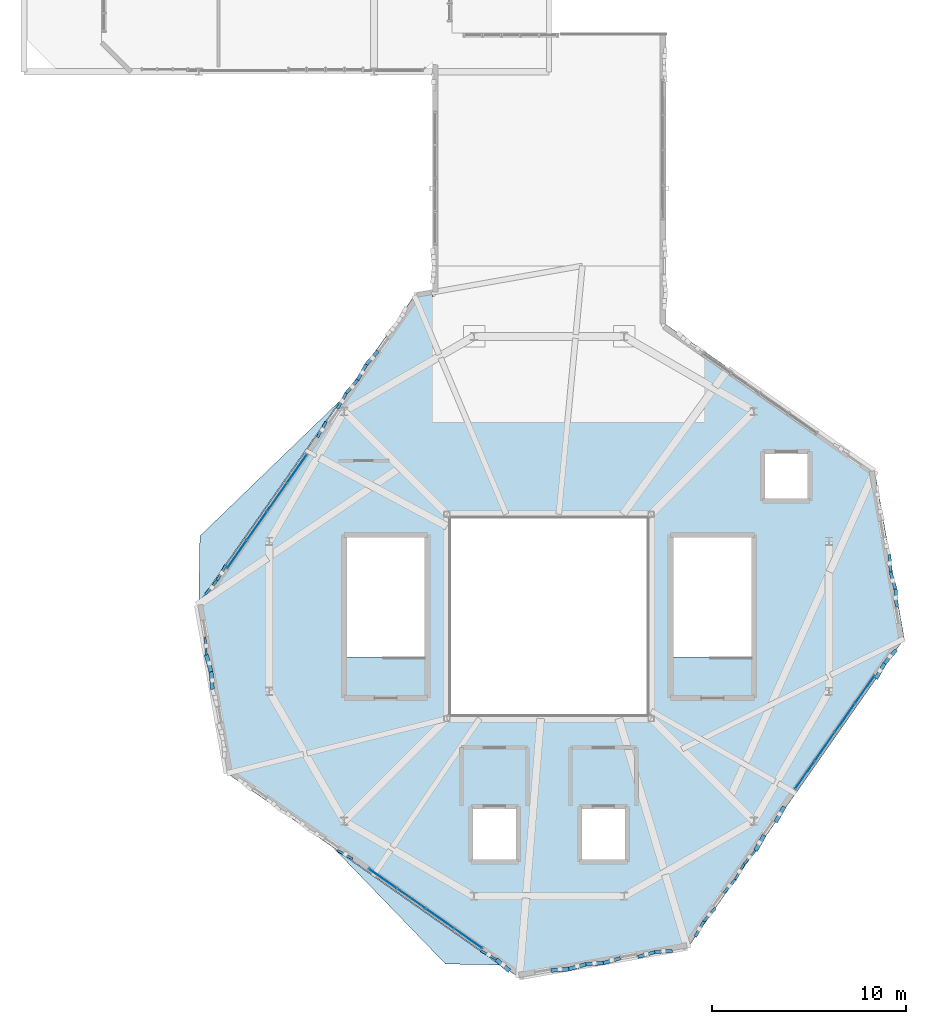
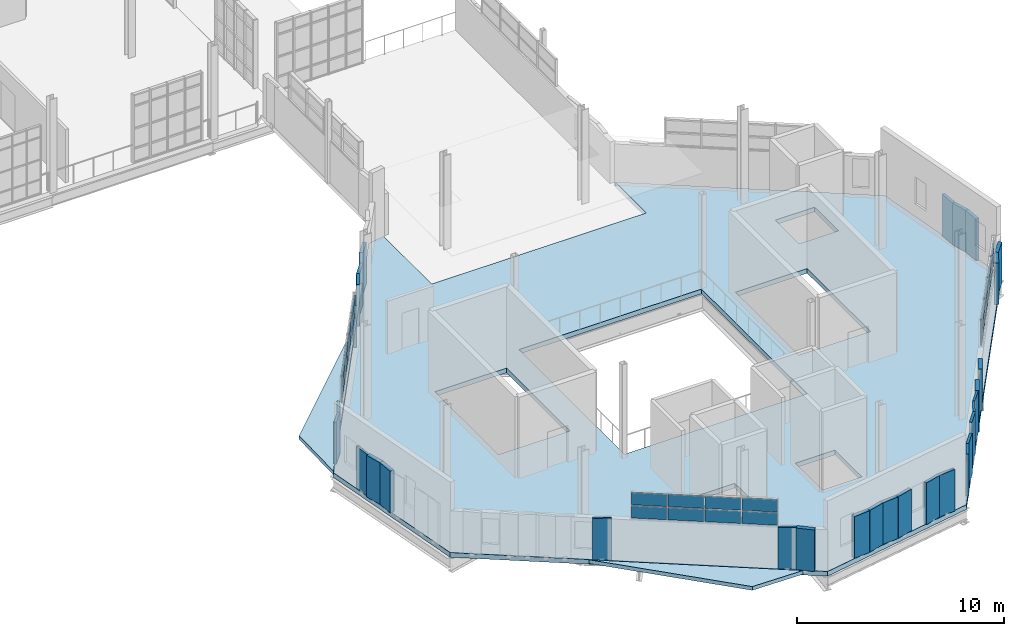
# One storey, part 27 of 36: 55 plates, 3 slabs, 3 elements without a shape of their own.
"""IFC4 building model written with IfcOpenShell, lengths in metres."""

from ifc_helpers import new_model, si_unit, direction, frame, frame_2d, origin, origin_2d, place, context, subcontext, project, spatial, polyline, rectangle, outline, extrude, material, layer, layer_set, type_object, element, aggregate, save


model = new_model("IFC4")

# Units and contexts
model_context = context("Model", 3, precision=1e-05, world=origin(), true_north=direction((0.0, 1.0)))
body_context = subcontext(model_context, "Body", "Model", "MODEL_VIEW")
ifc_project = project(units=[si_unit("LENGTHUNIT", "METRE"), si_unit("AREAUNIT", "SQUARE_METRE"), si_unit("VOLUMEUNIT", "CUBIC_METRE"), si_unit("PLANEANGLEUNIT", "RADIAN"), si_unit("MASSUNIT", "GRAM", prefix="KILO"), si_unit("THERMODYNAMICTEMPERATUREUNIT", "KELVIN"), si_unit("POWERUNIT", "WATT")], contexts=[model_context])

# Site, building, storey
site_placement = place(None, origin())
site = spatial("IfcSite", under=ifc_project, at=site_placement, CompositionType="ELEMENT")
building_placement = place(site_placement, origin())
building = spatial("IfcBuilding", under=site, at=building_placement, Name="Zelmaris Science Centre", CompositionType="ELEMENT")
storey_placement = place(building_placement, frame((0.0, 0.0, 25.199951171875)))
storey = spatial("IfcBuildingStorey", under=building, at=storey_placement, Name="L05", CompositionType="ELEMENT", Elevation=25.199951171875)

# Curtain wall, plates
ifc_material_1 = material(Name="Anodised architectural aluminium 6063-T6", Category="aluminium")
ifc_layer_1 = layer(ifc_material_1, 0.199951171875, Name="Anodised architectural aluminium 6063-T6")
ifc_layer_set_1 = layer_set([ifc_layer_1], Name="Anodised architectural aluminium 6063-T6")
curtain_wall_type_1 = type_object("IfcCurtainWallType", Name="Curtain Wall CW-02", PredefinedType="USERDEFINED", material=ifc_layer_set_1)
curtain_wall_1_placement = place(storey_placement, origin())
curtain_wall_1 = element("IfcCurtainWall", 1, at=curtain_wall_1_placement, inside=storey, type_object=curtain_wall_type_1, Name="L05 Clerestory curtain wall 370", ObjectType="GLAZED CURTAIN WALL", PredefinedType="USERDEFINED")
ifc_material_2 = material(Name="Laminated hurricane-rated low-E insulated glazing", Category="glass")
ifc_layer_2 = layer(ifc_material_2, 0.028076171875, Name="Laminated hurricane-rated low-E insulated glazing")
ifc_layer_set_2 = layer_set([ifc_layer_2], Name="Laminated hurricane-rated low-E insulated glazing")
plate_type_1 = type_object("IfcPlateType", Name="Curtain Glazing Panel CWP-2 28mm", PredefinedType="CURTAIN_PANEL", material=ifc_layer_set_2)
plate_1_placement = place(storey_placement, frame((97.231689453125, 32.237060546875, 2.487060546875), z_axis=(0.0, 0.0, 1.0), x_axis=(-0.573574483736, -0.819153411521, 0.0)))
plate_1 = element("IfcPlate", 2, at=plate_1_placement, type_object=plate_type_1, Name="CW-02 panel 1.1", PredefinedType="CURTAIN_PANEL", context=body_context, shape_type="SweptSolid", body=[
    extrude(rectangle(XDim=1.699462890625, YDim=0.028076171875, at=origin_2d()), origin(), (0.0, 0.0, 1.0), 0.70947265625),
])
plate_2_placement = place(storey_placement, frame((97.231689453125, 32.237060546875, 3.263671875), z_axis=(0.0, 0.0, 1.0), x_axis=(-0.573574483736, -0.819153411521, 0.0)))
plate_2 = element("IfcPlate", 3, at=plate_2_placement, type_object=plate_type_1, Name="CW-02 panel 1.2", PredefinedType="CURTAIN_PANEL", context=body_context, shape_type="SweptSolid", body=[
    extrude(rectangle(XDim=1.699462890625, YDim=0.028076171875, at=origin_2d()), origin(), (0.0, 0.0, 1.0), 0.70947265625),
])
plate_3_placement = place(storey_placement, frame((96.208984375, 30.7763671875, 2.487060546875), z_axis=(0.0, 0.0, 1.0), x_axis=(-0.573574483736, -0.819153411521, 0.0)))
plate_3 = element("IfcPlate", 4, at=plate_3_placement, type_object=plate_type_1, Name="CW-02 panel 2.1", PredefinedType="CURTAIN_PANEL", context=body_context, shape_type="SweptSolid", body=[
    extrude(rectangle(XDim=1.73291015625, YDim=0.028076171875, at=origin_2d()), origin(), (0.0, 0.0, 1.0), 0.70947265625),
])
plate_4_placement = place(storey_placement, frame((96.208984375, 30.7763671875, 3.263671875), z_axis=(0.0, 0.0, 1.0), x_axis=(-0.573574483736, -0.819153411521, 0.0)))
plate_4 = element("IfcPlate", 5, at=plate_4_placement, type_object=plate_type_1, Name="CW-02 panel 2.2", PredefinedType="CURTAIN_PANEL", context=body_context, shape_type="SweptSolid", body=[
    extrude(rectangle(XDim=1.73291015625, YDim=0.028076171875, at=origin_2d()), origin(), (0.0, 0.0, 1.0), 0.70947265625),
])
plate_5_placement = place(storey_placement, frame((95.176513671875, 29.3017578125, 2.487060546875), z_axis=(0.0, 0.0, 1.0), x_axis=(-0.573574483736, -0.819153411521, 0.0)))
plate_5 = element("IfcPlate", 6, at=plate_5_placement, type_object=plate_type_1, Name="CW-02 panel 3.1", PredefinedType="CURTAIN_PANEL", context=body_context, shape_type="SweptSolid", body=[
    extrude(rectangle(XDim=1.73291015625, YDim=0.028076171875, at=origin_2d()), origin(), (0.0, 0.0, 1.0), 0.70947265625),
])
plate_6_placement = place(storey_placement, frame((95.176513671875, 29.3017578125, 3.263671875), z_axis=(0.0, 0.0, 1.0), x_axis=(-0.573574483736, -0.819153411521, 0.0)))
plate_6 = element("IfcPlate", 7, at=plate_6_placement, type_object=plate_type_1, Name="CW-02 panel 3.2", PredefinedType="CURTAIN_PANEL", context=body_context, shape_type="SweptSolid", body=[
    extrude(rectangle(XDim=1.73291015625, YDim=0.028076171875, at=origin_2d()), origin(), (0.0, 0.0, 1.0), 0.70947265625),
])
plate_7_placement = place(storey_placement, frame((94.153564453125, 27.841064453125, 2.487060546875), z_axis=(0.0, 0.0, 1.0), x_axis=(-0.573574483736, -0.819153411521, 0.0)))
plate_7 = element("IfcPlate", 8, at=plate_7_placement, type_object=plate_type_1, Name="CW-02 panel 4.1", PredefinedType="CURTAIN_PANEL", context=body_context, shape_type="SweptSolid", body=[
    extrude(rectangle(XDim=1.699462890625, YDim=0.028076171875, at=origin_2d()), origin(), (0.0, 0.0, 1.0), 0.70947265625),
])
plate_8_placement = place(storey_placement, frame((94.153564453125, 27.841064453125, 3.263671875), z_axis=(0.0, 0.0, 1.0), x_axis=(-0.573574483736, -0.819153411521, 0.0)))
plate_8 = element("IfcPlate", 9, at=plate_8_placement, type_object=plate_type_1, Name="CW-02 panel 4.2", PredefinedType="CURTAIN_PANEL", context=body_context, shape_type="SweptSolid", body=[
    extrude(rectangle(XDim=1.699462890625, YDim=0.028076171875, at=origin_2d()), origin(), (0.0, 0.0, 1.0), 0.70947265625),
])
aggregate(curtain_wall_1, [plate_1, plate_2, plate_3, plate_4, plate_5, plate_6, plate_7, plate_8])

ifc_layer_3 = layer(ifc_material_1, 0.2099609375, Name="Anodised architectural aluminium 6063-T6")
ifc_layer_set_3 = layer_set([ifc_layer_3], Name="Anodised architectural aluminium 6063-T6")
curtain_wall_type_2 = type_object("IfcCurtainWallType", Name="Curtain Wall CW-03", PredefinedType="USERDEFINED", material=ifc_layer_set_3)
curtain_wall_2_placement = place(storey_placement, origin())
curtain_wall_2 = element("IfcCurtainWall", 10, at=curtain_wall_2_placement, inside=storey, type_object=curtain_wall_type_2, Name="L05 Clerestory curtain wall 371", ObjectType="GLAZED CURTAIN WALL", PredefinedType="USERDEFINED")
ifc_layer_4 = layer(ifc_material_2, 0.02587890625, Name="Laminated hurricane-rated low-E insulated glazing")
ifc_layer_set_4 = layer_set([ifc_layer_4], Name="Laminated hurricane-rated low-E insulated glazing")
plate_type_2 = type_object("IfcPlateType", Name="Curtain Glazing Panel CWP-3 26mm", PredefinedType="CURTAIN_PANEL", material=ifc_layer_set_4)
plate_9_placement = place(storey_placement, frame((76.851318359375, 19.439208984375, 2.47705078125), z_axis=(0.0, 0.0, 1.0), x_axis=(-0.819153826557, 0.573573891, 0.0)))
plate_9 = element("IfcPlate", 11, at=plate_9_placement, type_object=plate_type_2, Name="CW-03 panel 1.1", PredefinedType="CURTAIN_PANEL", context=body_context, shape_type="SweptSolid", body=[
    extrude(rectangle(XDim=1.714599609375, YDim=0.02587890625, at=origin_2d()), origin(), (0.0, 0.0, 1.0), 0.724609375),
])
plate_10_placement = place(storey_placement, frame((76.851318359375, 19.439208984375, 3.258544921875), z_axis=(0.0, 0.0, 1.0), x_axis=(-0.819153826557, 0.573573891, 0.0)))
plate_10 = element("IfcPlate", 12, at=plate_10_placement, type_object=plate_type_2, Name="CW-03 panel 1.2", PredefinedType="CURTAIN_PANEL", context=body_context, shape_type="SweptSolid", body=[
    extrude(rectangle(XDim=1.714599609375, YDim=0.02587890625, at=origin_2d()), origin(), (0.0, 0.0, 1.0), 0.724609375),
])
plate_11_placement = place(storey_placement, frame((75.388427734375, 20.463623046875, 2.47705078125), z_axis=(0.0, 0.0, 1.0), x_axis=(-0.819153826557, 0.573573891, 0.0)))
plate_11 = element("IfcPlate", 13, at=plate_11_placement, type_object=plate_type_2, Name="CW-03 panel 2.1", PredefinedType="CURTAIN_PANEL", context=body_context, shape_type="SweptSolid", body=[
    extrude(rectangle(XDim=1.742919921875, YDim=0.02587890625, at=origin_2d()), origin(), (0.0, 0.0, 1.0), 0.724609375),
])
plate_12_placement = place(storey_placement, frame((75.388427734375, 20.463623046875, 3.258544921875), z_axis=(0.0, 0.0, 1.0), x_axis=(-0.819153826557, 0.573573891, 0.0)))
plate_12 = element("IfcPlate", 14, at=plate_12_placement, type_object=plate_type_2, Name="CW-03 panel 2.2", PredefinedType="CURTAIN_PANEL", context=body_context, shape_type="SweptSolid", body=[
    extrude(rectangle(XDim=1.742919921875, YDim=0.02587890625, at=origin_2d()), origin(), (0.0, 0.0, 1.0), 0.724609375),
])
plate_13_placement = place(storey_placement, frame((73.913818359375, 21.495849609375, 2.47705078125), z_axis=(0.0, 0.0, 1.0), x_axis=(-0.819153826557, 0.573573891, 0.0)))
plate_13 = element("IfcPlate", 15, at=plate_13_placement, type_object=plate_type_2, Name="CW-03 panel 3.1", PredefinedType="CURTAIN_PANEL", context=body_context, shape_type="SweptSolid", body=[
    extrude(rectangle(XDim=1.742919921875, YDim=0.02587890625, at=origin_2d()), origin(), (0.0, 0.0, 1.0), 0.724609375),
])
plate_14_placement = place(storey_placement, frame((73.913818359375, 21.495849609375, 3.258544921875), z_axis=(0.0, 0.0, 1.0), x_axis=(-0.819153826557, 0.573573891, 0.0)))
plate_14 = element("IfcPlate", 16, at=plate_14_placement, type_object=plate_type_2, Name="CW-03 panel 3.2", PredefinedType="CURTAIN_PANEL", context=body_context, shape_type="SweptSolid", body=[
    extrude(rectangle(XDim=1.742919921875, YDim=0.02587890625, at=origin_2d()), origin(), (0.0, 0.0, 1.0), 0.724609375),
])
plate_15_placement = place(storey_placement, frame((72.451171875, 22.520263671875, 2.47705078125), z_axis=(0.0, 0.0, 1.0), x_axis=(-0.819153826557, 0.573573891, 0.0)))
plate_15 = element("IfcPlate", 17, at=plate_15_placement, type_object=plate_type_2, Name="CW-03 panel 4.1", PredefinedType="CURTAIN_PANEL", context=body_context, shape_type="SweptSolid", body=[
    extrude(rectangle(XDim=1.714599609375, YDim=0.02587890625, at=origin_2d()), origin(), (0.0, 0.0, 1.0), 0.724609375),
])
plate_16_placement = place(storey_placement, frame((72.451171875, 22.520263671875, 3.258544921875), z_axis=(0.0, 0.0, 1.0), x_axis=(-0.819153826557, 0.573573891, 0.0)))
plate_16 = element("IfcPlate", 18, at=plate_16_placement, type_object=plate_type_2, Name="CW-03 panel 4.2", PredefinedType="CURTAIN_PANEL", context=body_context, shape_type="SweptSolid", body=[
    extrude(rectangle(XDim=1.714599609375, YDim=0.02587890625, at=origin_2d()), origin(), (0.0, 0.0, 1.0), 0.724609375),
])
aggregate(curtain_wall_2, [plate_9, plate_10, plate_11, plate_12, plate_13, plate_14, plate_15, plate_16])

ifc_layer_5 = layer(ifc_material_1, 0.219970703125, Name="Anodised architectural aluminium 6063-T6")
ifc_layer_set_5 = layer_set([ifc_layer_5], Name="Anodised architectural aluminium 6063-T6")
curtain_wall_type_3 = type_object("IfcCurtainWallType", Name="Curtain Wall CW-04", PredefinedType="USERDEFINED", material=ifc_layer_set_5)
curtain_wall_3_placement = place(storey_placement, origin())
curtain_wall_3 = element("IfcCurtainWall", 19, at=curtain_wall_3_placement, inside=storey, type_object=curtain_wall_type_3, Name="L05 Clerestory curtain wall 372", ObjectType="GLAZED CURTAIN WALL", PredefinedType="USERDEFINED")
ifc_layer_6 = layer(ifc_material_2, 0.02392578125, Name="Laminated hurricane-rated low-E insulated glazing")
ifc_layer_set_6 = layer_set([ifc_layer_6], Name="Laminated hurricane-rated low-E insulated glazing")
plate_type_3 = type_object("IfcPlateType", Name="Curtain Glazing Panel CWP-4 24mm", PredefinedType="CURTAIN_PANEL", material=ifc_layer_set_6)
plate_17_placement = place(storey_placement, frame((64.95166015625, 39.189208984375, 2.47216796875), z_axis=(0.0, 0.0, 1.0), x_axis=(0.573574946513, 0.819153087483, 0.0)))
plate_17 = element("IfcPlate", 20, at=plate_17_placement, type_object=plate_type_3, Name="CW-04 panel 1.1", PredefinedType="CURTAIN_PANEL", context=body_context, shape_type="SweptSolid", body=[
    extrude(rectangle(XDim=1.721923828125, YDim=0.02392578125, at=origin_2d()), origin(), (0.0, 0.0, 1.0), 0.73193359375),
])
plate_18_placement = place(storey_placement, frame((64.95166015625, 39.189208984375, 3.256103515625), z_axis=(0.0, 0.0, 1.0), x_axis=(0.573574946513, 0.819153087483, 0.0)))
plate_18 = element("IfcPlate", 21, at=plate_18_placement, type_object=plate_type_3, Name="CW-04 panel 1.2", PredefinedType="CURTAIN_PANEL", context=body_context, shape_type="SweptSolid", body=[
    extrude(rectangle(XDim=1.721923828125, YDim=0.02392578125, at=origin_2d()), origin(), (0.0, 0.0, 1.0), 0.73193359375),
])
plate_19_placement = place(storey_placement, frame((65.9765625, 40.653076171875, 2.47216796875), z_axis=(0.0, 0.0, 1.0), x_axis=(0.573574946513, 0.819153087483, 0.0)))
plate_19 = element("IfcPlate", 22, at=plate_19_placement, type_object=plate_type_3, Name="CW-04 panel 2.1", PredefinedType="CURTAIN_PANEL", context=body_context, shape_type="SweptSolid", body=[
    extrude(rectangle(XDim=1.748046875, YDim=0.02392578125, at=origin_2d()), origin(), (0.0, 0.0, 1.0), 0.73193359375),
])
plate_20_placement = place(storey_placement, frame((65.9765625, 40.653076171875, 3.256103515625), z_axis=(0.0, 0.0, 1.0), x_axis=(0.573574946513, 0.819153087483, 0.0)))
plate_20 = element("IfcPlate", 23, at=plate_20_placement, type_object=plate_type_3, Name="CW-04 panel 2.2", PredefinedType="CURTAIN_PANEL", context=body_context, shape_type="SweptSolid", body=[
    extrude(rectangle(XDim=1.748046875, YDim=0.02392578125, at=origin_2d()), origin(), (0.0, 0.0, 1.0), 0.73193359375),
])
plate_21_placement = place(storey_placement, frame((67.009033203125, 42.12744140625, 2.47216796875), z_axis=(0.0, 0.0, 1.0), x_axis=(0.573574946513, 0.819153087483, 0.0)))
plate_21 = element("IfcPlate", 24, at=plate_21_placement, type_object=plate_type_3, Name="CW-04 panel 3.1", PredefinedType="CURTAIN_PANEL", context=body_context, shape_type="SweptSolid", body=[
    extrude(rectangle(XDim=1.748046875, YDim=0.02392578125, at=origin_2d()), origin(), (0.0, 0.0, 1.0), 0.73193359375),
])
plate_22_placement = place(storey_placement, frame((67.009033203125, 42.12744140625, 3.256103515625), z_axis=(0.0, 0.0, 1.0), x_axis=(0.573574946513, 0.819153087483, 0.0)))
plate_22 = element("IfcPlate", 25, at=plate_22_placement, type_object=plate_type_3, Name="CW-04 panel 3.2", PredefinedType="CURTAIN_PANEL", context=body_context, shape_type="SweptSolid", body=[
    extrude(rectangle(XDim=1.748046875, YDim=0.02392578125, at=origin_2d()), origin(), (0.0, 0.0, 1.0), 0.73193359375),
])
plate_23_placement = place(storey_placement, frame((68.033935546875, 43.59130859375, 2.47216796875), z_axis=(0.0, 0.0, 1.0), x_axis=(0.573574946513, 0.819153087483, 0.0)))
plate_23 = element("IfcPlate", 26, at=plate_23_placement, type_object=plate_type_3, Name="CW-04 panel 4.1", PredefinedType="CURTAIN_PANEL", context=body_context, shape_type="SweptSolid", body=[
    extrude(rectangle(XDim=1.721923828125, YDim=0.02392578125, at=origin_2d()), origin(), (0.0, 0.0, 1.0), 0.73193359375),
])
plate_24_placement = place(storey_placement, frame((68.033935546875, 43.59130859375, 3.256103515625), z_axis=(0.0, 0.0, 1.0), x_axis=(0.573574946513, 0.819153087483, 0.0)))
plate_24 = element("IfcPlate", 27, at=plate_24_placement, type_object=plate_type_3, Name="CW-04 panel 4.2", PredefinedType="CURTAIN_PANEL", context=body_context, shape_type="SweptSolid", body=[
    extrude(rectangle(XDim=1.721923828125, YDim=0.02392578125, at=origin_2d()), origin(), (0.0, 0.0, 1.0), 0.73193359375),
])
aggregate(curtain_wall_3, [plate_17, plate_18, plate_19, plate_20, plate_21, plate_22, plate_23, plate_24])

# Plates
ifc_material_3 = material(Name="Precast concrete C40/50", Category="concrete")
ifc_layer_7 = layer(ifc_material_3, 0.110107421875, Name="Precast concrete C40/50")
ifc_layer_set_7 = layer_set([ifc_layer_7], Name="Precast concrete C40/50")
plate_type_4 = type_object("IfcPlateType", Name="Precast Facet Panel FP-01 110mm", PredefinedType="SHEET", material=ifc_layer_set_7)
plate_25_placement = place(storey_placement, frame((91.615478515625, 23.951904296875, 0.02001953125), z_axis=(0.0, 0.0, 1.0), x_axis=(-0.653542588487, -0.756889744305, 0.0)))
element("IfcPlate", 28, at=plate_25_placement, inside=storey, type_object=plate_type_4, Name="L05 Folded precast facet panel 240", PredefinedType="SHEET", context=body_context, shape_type="SweptSolid", body=[
    extrude(rectangle(XDim=0.90478515625, YDim=0.110107421875, at=frame_2d((0.452392578125, 0.0))), origin(), (0.0, 0.0, 1.0), 2.4599609375),
])
plate_26_placement = place(storey_placement, frame((78.282470703125, 18.36376953125, 0.02001953125), z_axis=(0.0, 0.0, 1.0), x_axis=(-0.873034728659, 0.487658038543, 0.0)))
element("IfcPlate", 29, at=plate_26_placement, inside=storey, type_object=plate_type_4, Name="L05 Folded precast facet panel 252", PredefinedType="SHEET", context=body_context, shape_type="SweptSolid", body=[
    extrude(rectangle(XDim=0.904541015625, YDim=0.110107421875, at=frame_2d((0.4521484375, 0.0))), origin(), (0.0, 0.0, 1.0), 2.4599609375),
])
plate_27_placement = place(storey_placement, frame((63.377197265625, 34.023681640625, 0.02001953125), z_axis=(0.0, 0.0, 1.0), x_axis=(-0.072857800728, 0.997342338855, 0.0)))
element("IfcPlate", 30, at=plate_27_placement, inside=storey, type_object=plate_type_4, Name="L05 Folded precast facet panel 264", PredefinedType="SHEET", context=body_context, shape_type="SweptSolid", body=[
    extrude(rectangle(XDim=0.90478515625, YDim=0.110107421875, at=frame_2d((0.452392578125, 0.0))), origin(), (0.0, 0.0, 1.0), 2.4599609375),
])
ifc_layer_8 = layer(ifc_material_3, 0.1201171875, Name="Precast concrete C40/50")
ifc_layer_set_8 = layer_set([ifc_layer_8], Name="Precast concrete C40/50")
plate_type_5 = type_object("IfcPlateType", Name="Precast Facet Panel FP-02 120mm", PredefinedType="SHEET", material=ifc_layer_set_8)
plate_28_placement = place(storey_placement, frame((91.024169921875, 23.26708984375, 0.02001953125), z_axis=(0.0, 0.0, 1.0), x_axis=(-0.487658038543, -0.873034728659, 0.0)))
element("IfcPlate", 31, at=plate_28_placement, inside=storey, type_object=plate_type_5, Name="L05 Folded precast facet panel 241", PredefinedType="SHEET", context=body_context, shape_type="SweptSolid", body=[
    extrude(rectangle(XDim=0.904541015625, YDim=0.1201171875, at=frame_2d((0.4521484375, 0.0))), origin(), (0.0, 0.0, 1.0), 2.4599609375),
])
for number, where, z_axis, x_axis, name in (
    (32, (70.91015625, 23.52587890625, 0.02001953125), (0.0, 0.0, 1.0), (-0.872919823759, 0.4878636913, 0.0), "L05 Folded precast facet panel 253"),
    (33, (63.342529296875, 37.155517578125, 0.02001953125), (0.0, 0.0, 1.0), (0.653542588487, 0.756889744305, 0.0), "L05 Folded precast facet panel 265"),
):
    element("IfcPlate", number, at=place(storey_placement, frame(where, z_axis=z_axis, x_axis=x_axis)), inside=storey, type_object=plate_type_5, Name=name, PredefinedType="SHEET", context=body_context, shape_type="SweptSolid", body=[
        extrude(rectangle(XDim=0.90478515625, YDim=0.1201171875, at=frame_2d((0.452392578125, 0.0))), origin(), (0.0, 0.0, 1.0), 2.4599609375),
    ])
ifc_layer_9 = layer(ifc_material_3, 0.1298828125, Name="Precast concrete C40/50")
ifc_layer_set_9 = layer_set([ifc_layer_9], Name="Precast concrete C40/50")
plate_type_6 = type_object("IfcPlateType", Name="Precast Facet Panel FP-03 130mm", PredefinedType="SHEET", material=ifc_layer_set_9)
for number, where, z_axis, x_axis, name in (
    (34, (90.5830078125, 22.477294921875, 0.02001953125), (0.0, 0.0, 1.0), (-0.653676082533, -0.756774457235, 0.0), "L05 Folded precast facet panel 242"),
    (35, (63.933837890625, 37.84033203125, 0.02001953125), (0.0, 0.0, 1.0), (0.487658038543, 0.873034728659, 0.0), "L05 Folded precast facet panel 266"),
):
    element("IfcPlate", number, at=place(storey_placement, frame(where, z_axis=z_axis, x_axis=x_axis)), inside=storey, type_object=plate_type_6, Name=name, PredefinedType="SHEET", context=body_context, shape_type="SweptSolid", body=[
        extrude(rectangle(XDim=0.904541015625, YDim=0.1298828125, at=frame_2d((0.4521484375, 0.0))), origin(), (0.0, 0.0, 1.0), 2.4599609375),
    ])
ifc_layer_10 = layer(ifc_material_3, 0.139892578125, Name="Precast concrete C40/50")
ifc_layer_set_10 = layer_set([ifc_layer_10], Name="Precast concrete C40/50")
plate_type_7 = type_object("IfcPlateType", Name="Precast Facet Panel FP-04 140mm", PredefinedType="SHEET", material=ifc_layer_set_10)
plate_29_placement = place(storey_placement, frame((89.550537109375, 21.0029296875, 0.02001953125), z_axis=(0.0, 0.0, 1.0), x_axis=(-0.653542588487, -0.756889744305, 0.0)))
element("IfcPlate", 36, at=plate_29_placement, inside=storey, type_object=plate_type_7, Name="L05 Folded precast facet panel 243", PredefinedType="SHEET", context=body_context, shape_type="SweptSolid", body=[
    extrude(rectangle(XDim=0.90478515625, YDim=0.139892578125, at=frame_2d((0.452392578125, 0.0))), origin(), (0.0, 0.0, 1.0), 2.4599609375),
])
plate_30_placement = place(storey_placement, frame((69.095947265625, 45.212646484375, 0.02001953125), z_axis=(0.0, 0.0, 1.0), x_axis=(0.487658038543, 0.873034728659, 0.0)))
element("IfcPlate", 37, at=plate_30_placement, inside=storey, type_object=plate_type_7, Name="L05 Folded precast facet panel 267", PredefinedType="SHEET", context=body_context, shape_type="SweptSolid", body=[
    extrude(rectangle(XDim=0.904541015625, YDim=0.139892578125, at=frame_2d((0.4521484375, 0.0))), origin(), (0.0, 0.0, 1.0), 2.4599609375),
])
ifc_layer_11 = layer(ifc_material_3, 0.14990234375, Name="Precast concrete C40/50")
ifc_layer_set_11 = layer_set([ifc_layer_11], Name="Precast concrete C40/50")
plate_type_8 = type_object("IfcPlateType", Name="Precast Facet Panel FP-05 150mm", PredefinedType="SHEET", material=ifc_layer_set_11)
for number, where, z_axis, x_axis, name in (
    (38, (88.959228515625, 20.318115234375, 0.02001953125), (0.0, 0.0, 1.0), (-0.487658038543, -0.873034728659, 0.0), "L05 Folded precast facet panel 244"),
    (39, (70.12841796875, 46.687255859375, 0.02001953125), (0.0, 0.0, 1.0), (0.487658038543, 0.873034728659, 0.0), "L05 Folded precast facet panel 268"),
):
    element("IfcPlate", number, at=place(storey_placement, frame(where, z_axis=z_axis, x_axis=x_axis)), inside=storey, type_object=plate_type_8, Name=name, PredefinedType="SHEET", context=body_context, shape_type="SweptSolid", body=[
        extrude(rectangle(XDim=0.904541015625, YDim=0.14990234375, at=frame_2d((0.4521484375, 0.0))), origin(), (0.0, 0.0, 1.0), 2.4599609375),
    ])
ifc_layer_12 = layer(ifc_material_3, 0.159912109375, Name="Precast concrete C40/50")
ifc_layer_set_12 = layer_set([ifc_layer_12], Name="Precast concrete C40/50")
plate_type_9 = type_object("IfcPlateType", Name="Precast Facet Panel FP-06 160mm", PredefinedType="SHEET", material=ifc_layer_set_12)
for number, where, z_axis, x_axis, name in (
    (40, (98.49560546875, 39.17822265625, 0.02001953125), (0.0, 0.0, 1.0), (0.073126204109, -0.997322695156, 0.0), "L05 Folded precast facet panel 233"),
    (41, (87.335693359375, 18.802001953125, 0.02001953125), (0.0, 0.0, 1.0), (-0.997322695156, -0.073126204109, 0.0), "L05 Folded precast facet panel 245"),
):
    element("IfcPlate", number, at=place(storey_placement, frame(where, z_axis=z_axis, x_axis=x_axis)), inside=storey, type_object=plate_type_9, Name=name, PredefinedType="SHEET", context=body_context, shape_type="SweptSolid", body=[
        extrude(rectangle(XDim=0.90478515625, YDim=0.159912109375, at=frame_2d((0.452392578125, 0.0))), origin(), (0.0, 0.0, 1.0), 2.4599609375),
    ])
plate_31_placement = place(storey_placement, frame((70.569580078125, 47.47705078125, 0.02001953125), z_axis=(0.0, 0.0, 1.0), x_axis=(0.653676082533, 0.756774457235, 0.0)))
element("IfcPlate", 42, at=plate_31_placement, inside=storey, type_object=plate_type_9, Name="L05 Folded precast facet panel 269", PredefinedType="SHEET", context=body_context, shape_type="SweptSolid", body=[
    extrude(rectangle(XDim=0.904541015625, YDim=0.159912109375, at=frame_2d((0.4521484375, 0.0))), origin(), (0.0, 0.0, 1.0), 2.4599609375),
])
ifc_layer_13 = layer(ifc_material_3, 0.169921875, Name="Precast concrete C40/50")
ifc_layer_set_13 = layer_set([ifc_layer_13], Name="Precast concrete C40/50")
plate_type_10 = type_object("IfcPlateType", Name="Precast Facet Panel FP-07 170mm", PredefinedType="SHEET", material=ifc_layer_set_13)
for number, where, z_axis, x_axis, name in (
    (43, (98.561767578125, 38.27587890625, 0.02001953125), (0.0, 0.0, 1.0), (0.272331895481, -0.962203376997, 0.0), "L05 Folded precast facet panel 234"),
    (44, (86.433349609375, 18.73583984375, 0.02001953125), (0.0, 0.0, 1.0), (-0.962132624791, -0.272581753447, 0.0), "L05 Folded precast facet panel 246"),
    (45, (71.160888671875, 48.16162109375, 0.02001953125), (0.0, 0.0, 1.0), (0.487658038543, 0.873034728659, 0.0), "L05 Folded precast facet panel 270"),
):
    element("IfcPlate", number, at=place(storey_placement, frame(where, z_axis=z_axis, x_axis=x_axis)), inside=storey, type_object=plate_type_10, Name=name, PredefinedType="SHEET", context=body_context, shape_type="SweptSolid", body=[
        extrude(rectangle(XDim=0.904541015625, YDim=0.169921875, at=frame_2d((0.4521484375, 0.0))), origin(), (0.0, 0.0, 1.0), 2.4599609375),
    ])
ifc_layer_14 = layer(ifc_material_3, 0.179931640625, Name="Precast concrete C40/50")
ifc_layer_set_14 = layer_set([ifc_layer_14], Name="Precast concrete C40/50")
plate_type_11 = type_object("IfcPlateType", Name="Precast Facet Panel FP-08 180mm", PredefinedType="SHEET", material=ifc_layer_set_14)
for number, where, z_axis, x_axis, name in (
    (46, (98.80810546875, 37.405517578125, 0.02001953125), (0.0, 0.0, 1.0), (0.07314588882, -0.997321251628, 0.0), "L05 Folded precast facet panel 235"),
    (47, (84.66064453125, 18.423095703125, 0.02001953125), (0.0, 0.0, 1.0), (-0.962203376997, -0.272331895481, 0.0), "L05 Folded precast facet panel 247"),
    (48, (71.60205078125, 48.951416015625, 0.02001953125), (0.0, 0.0, 1.0), (0.653676082533, 0.756774457235, 0.0), "L05 Folded precast facet panel 271"),
):
    element("IfcPlate", number, at=place(storey_placement, frame(where, z_axis=z_axis, x_axis=x_axis)), inside=storey, type_object=plate_type_11, Name=name, PredefinedType="SHEET", context=body_context, shape_type="SweptSolid", body=[
        extrude(rectangle(XDim=0.904541015625, YDim=0.179931640625, at=frame_2d((0.4521484375, 0.0))), origin(), (0.0, 0.0, 1.0), 2.4599609375),
    ])
ifc_layer_15 = layer(ifc_material_3, 0.18994140625, Name="Precast concrete C40/50")
ifc_layer_set_15 = layer_set([ifc_layer_15], Name="Precast concrete C40/50")
plate_type_12 = type_object("IfcPlateType", Name="Precast Facet Panel FP-09 190mm", PredefinedType="SHEET", material=ifc_layer_set_15)
plate_32_placement = place(storey_placement, frame((98.842529296875, 34.273193359375, 0.02001953125), z_axis=(0.0, 0.0, 1.0), x_axis=(-0.653542588487, -0.756889744305, 0.0)))
element("IfcPlate", 49, at=plate_32_placement, inside=storey, type_object=plate_type_12, Name="L05 Folded precast facet panel 236", PredefinedType="SHEET", context=body_context, shape_type="SweptSolid", body=[
    extrude(rectangle(XDim=0.90478515625, YDim=0.18994140625, at=frame_2d((0.452392578125, 0.0))), origin(), (0.0, 0.0, 1.0), 2.4599609375),
])
plate_33_placement = place(storey_placement, frame((83.790283203125, 18.1767578125, 0.02001953125), z_axis=(0.0, 0.0, 1.0), x_axis=(-0.997321251628, -0.07314588882, 0.0)))
element("IfcPlate", 50, at=plate_33_placement, inside=storey, type_object=plate_type_12, Name="L05 Folded precast facet panel 248", PredefinedType="SHEET", context=body_context, shape_type="SweptSolid", body=[
    extrude(rectangle(XDim=0.904541015625, YDim=0.18994140625, at=frame_2d((0.4521484375, 0.0))), origin(), (0.0, 0.0, 1.0), 2.4599609375),
])
ifc_layer_16 = layer(ifc_material_3, 0.199951171875, Name="Precast concrete C40/50")
ifc_layer_set_16 = layer_set([ifc_layer_16], Name="Precast concrete C40/50")
plate_type_13 = type_object("IfcPlateType", Name="Precast Facet Panel FP-10 200mm", PredefinedType="SHEET", material=ifc_layer_set_16)
plate_34_placement = place(storey_placement, frame((98.251220703125, 33.58837890625, 0.02001953125), z_axis=(0.0, 0.0, 1.0), x_axis=(-0.487658038543, -0.873034728659, 0.0)))
element("IfcPlate", 51, at=plate_34_placement, inside=storey, type_object=plate_type_13, Name="L05 Folded precast facet panel 237", PredefinedType="SHEET", context=body_context, shape_type="SweptSolid", body=[
    extrude(rectangle(XDim=0.904541015625, YDim=0.199951171875, at=frame_2d((0.4521484375, 0.0))), origin(), (0.0, 0.0, 1.0), 2.4599609375),
])
plate_35_placement = place(storey_placement, frame((82.88818359375, 18.110595703125, 0.02001953125), z_axis=(0.0, 0.0, 1.0), x_axis=(-0.962223386449, -0.272261188146, 0.0)))
element("IfcPlate", 52, at=plate_35_placement, inside=storey, type_object=plate_type_13, Name="L05 Folded precast facet panel 249", PredefinedType="SHEET", context=body_context, shape_type="SweptSolid", body=[
    extrude(rectangle(XDim=0.90478515625, YDim=0.199951171875, at=frame_2d((0.452392578125, 0.0))), origin(), (0.0, 0.0, 1.0), 2.4599609375),
])
ifc_layer_17 = layer(ifc_material_3, 0.2099609375, Name="Precast concrete C40/50")
ifc_layer_set_17 = layer_set([ifc_layer_17], Name="Precast concrete C40/50")
plate_type_14 = type_object("IfcPlateType", Name="Precast Facet Panel FP-11 210mm", PredefinedType="SHEET", material=ifc_layer_set_17)
for number, where, z_axis, x_axis, name in (
    (53, (93.089111328125, 26.216064453125, 0.02001953125), (0.0, 0.0, 1.0), (-0.487658038543, -0.873034728659, 0.0), "L05 Folded precast facet panel 238"),
    (54, (82.017578125, 17.8642578125, 0.02001953125), (0.0, 0.0, 1.0), (-0.997321251628, -0.07314588882, 0.0), "L05 Folded precast facet panel 250"),
    (55, (63.689697265625, 32.251220703125, 0.02001953125), (0.0, 0.0, 1.0), (-0.072877413961, 0.997340905876, 0.0), "L05 Folded precast facet panel 262"),
):
    element("IfcPlate", number, at=place(storey_placement, frame(where, z_axis=z_axis, x_axis=x_axis)), inside=storey, type_object=plate_type_14, Name=name, PredefinedType="SHEET", context=body_context, shape_type="SweptSolid", body=[
        extrude(rectangle(XDim=0.904541015625, YDim=0.2099609375, at=frame_2d((0.4521484375, 0.0))), origin(), (0.0, 0.0, 1.0), 2.4599609375),
    ])
ifc_layer_18 = layer(ifc_material_3, 0.219970703125, Name="Precast concrete C40/50")
ifc_layer_set_18 = layer_set([ifc_layer_18], Name="Precast concrete C40/50")
plate_type_15 = type_object("IfcPlateType", Name="Precast Facet Panel FP-12 220mm", PredefinedType="SHEET", material=ifc_layer_set_18)
for number, where, z_axis, x_axis, name in (
    (56, (92.056640625, 24.74169921875, 0.02001953125), (0.0, 0.0, 1.0), (-0.487658038543, -0.873034728659, 0.0), "L05 Folded precast facet panel 239"),
    (57, (78.96728515625, 17.772705078125, 0.02001953125), (0.0, 0.0, 1.0), (-0.757023229002, 0.653387963427, 0.0), "L05 Folded precast facet panel 251"),
    (58, (63.623779296875, 33.1533203125, 0.02001953125), (0.0, 0.0, 1.0), (-0.272581753447, 0.962132624791, 0.0), "L05 Folded precast facet panel 263"),
):
    element("IfcPlate", number, at=place(storey_placement, frame(where, z_axis=z_axis, x_axis=x_axis)), inside=storey, type_object=plate_type_15, Name=name, PredefinedType="SHEET", context=body_context, shape_type="SweptSolid", body=[
        extrude(rectangle(XDim=0.904541015625, YDim=0.219970703125, at=frame_2d((0.4521484375, 0.0))), origin(), (0.0, 0.0, 1.0), 2.4599609375),
    ])

# Slabs
ifc_material_4 = material(Name="Concrete C35/45", Category="concrete")
ifc_layer_19 = layer(ifc_material_4, 0.280029296875, Name="Concrete C35/45")
ifc_layer_set_19 = layer_set([ifc_layer_19], Name="Concrete C35/45")
slab_type_1 = type_object("IfcSlabType", Name="Slab SL-FL280 280mm", PredefinedType="FLOOR", material=ifc_layer_set_19)
slab_1_placement = place(storey_placement, frame((0.0, 0.0, -0.280029296875)))
element("IfcSlab", 59, at=slab_1_placement, inside=storey, type_object=slab_type_1, Name="L05 Rotated exhibition hall slab", PredefinedType="FLOOR", context=body_context, shape_type="SweptSolid", body=[
    extrude(outline(polyline([(97.74267578125, 43.4970703125), (99.26513671875, 34.8623046875), (88.109130859375, 18.9296875), (79.474365234375, 17.4072265625), (64.44287109375, 27.932373046875), (62.920166015625, 36.567138671875), (74.076416015625, 52.499755859375), (75.00390625, 52.663330078125), (75.00390625, 48.00390625), (86.99609375, 48.00390625), (86.99609375, 51.02197265625), (97.74267578125, 43.4970703125)]), holes=[polyline([(75.89990234375, 30.89990234375), (86.10009765625, 30.89990234375), (86.10009765625, 41.10009765625), (75.89990234375, 41.10009765625), (75.89990234375, 30.89990234375)]), polyline([(74.60009765625, 33.919921875), (74.60009765625, 40.050048828125), (70.60009765625, 40.050048828125), (70.60009765625, 33.919921875), (74.60009765625, 33.919921875)]), polyline([(91.39990234375, 33.919921875), (91.39990234375, 40.050048828125), (87.39990234375, 40.050048828125), (87.39990234375, 33.919921875), (91.39990234375, 33.919921875)]), polyline([(77.10009765625, 23.5), (79.300048828125, 23.5), (79.300048828125, 26.10009765625), (77.10009765625, 26.10009765625), (77.10009765625, 23.5)]), polyline([(82.699951171875, 23.5), (84.89990234375, 23.5), (84.89990234375, 26.10009765625), (82.699951171875, 26.10009765625), (82.699951171875, 23.5)]), polyline([(92.10009765625, 42.050048828125), (94.300048828125, 42.050048828125), (94.300048828125, 44.35009765625), (92.10009765625, 44.35009765625), (92.10009765625, 42.050048828125)])]), origin(), (0.0, 0.0, 1.0), 0.280029296875),
])
ifc_layer_20 = layer(ifc_material_4, 0.219970703125, Name="Concrete C35/45")
ifc_layer_set_20 = layer_set([ifc_layer_20], Name="Concrete C35/45")
slab_type_2 = type_object("IfcSlabType", Name="Slab SL-RF220 220mm", PredefinedType="ROOF", material=ifc_layer_set_20)
slab_2_placement = place(storey_placement, frame((0.0, 0.0, -0.219970703125)))
element("IfcSlab", 60, at=slab_2_placement, inside=storey, type_object=slab_type_2, Name="L05 Exhibition setback cornice roof 1", PredefinedType="ROOF", context=body_context, shape_type="SweptSolid", body=[
    extrude(outline(polyline([(70.283203125, 47.11767578125), (62.986083984375, 36.696044921875), (63.0458984375, 40.128662109375), (70.283203125, 47.11767578125)])), origin(), (0.0, 0.0, 1.0), 0.219970703125),
])
slab_3_placement = place(storey_placement, frame((0.0, 0.0, -0.219970703125)))
element("IfcSlab", 61, at=slab_3_placement, inside=storey, type_object=slab_type_2, Name="L05 Exhibition setback cornice roof 2", PredefinedType="ROOF", context=body_context, shape_type="SweptSolid", body=[
    extrude(outline(polyline([(69.956787109375, 24.047119140625), (78.48291015625, 18.076904296875), (75.674560546875, 18.1259765625), (69.956787109375, 24.047119140625)])), origin(), (0.0, 0.0, 1.0), 0.219970703125),
])

save(model, "model.ifc")
